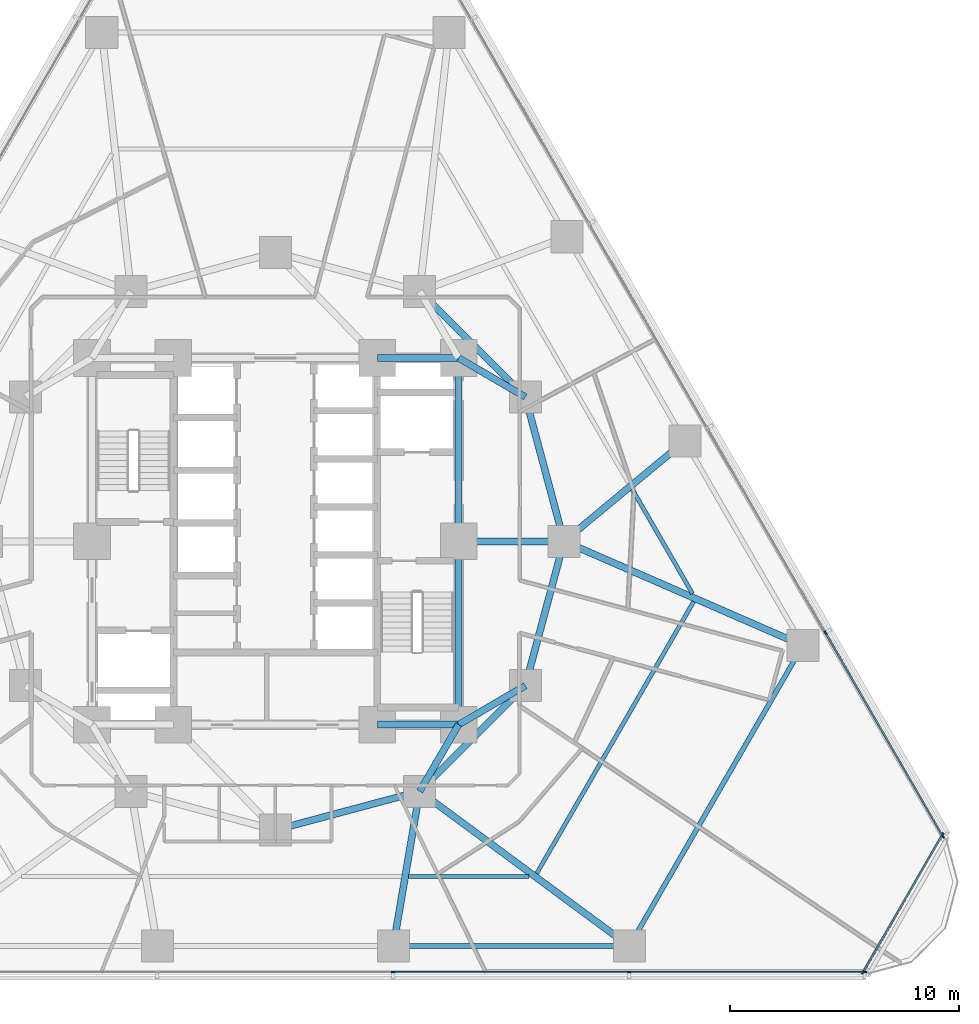
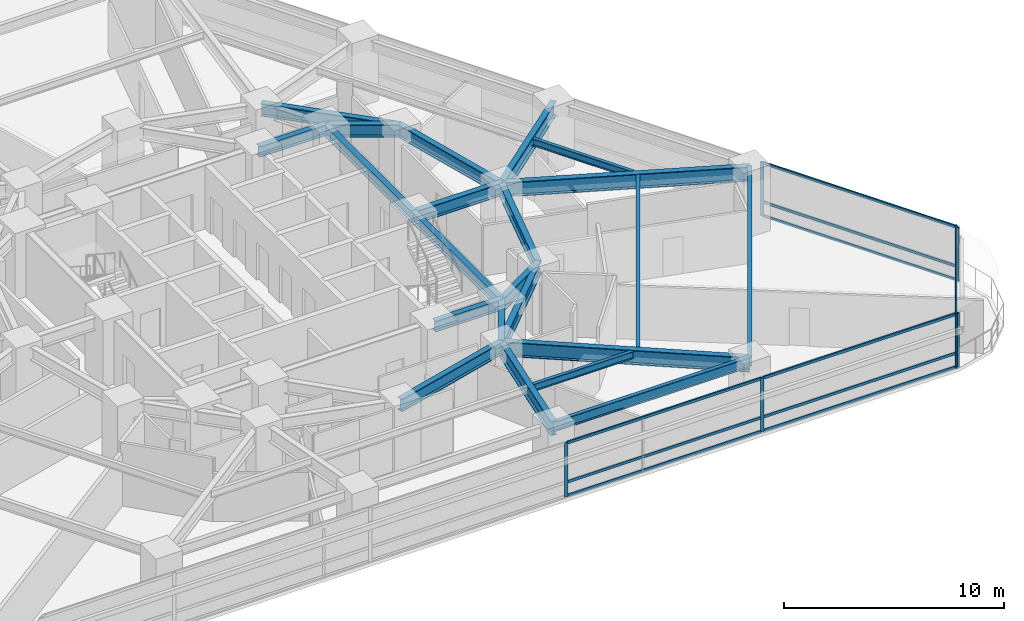
# One storey, part 4 of 16: 22 beams, 19 members, 3 elements without a shape of their own.
"""IFC4 building model written with IfcOpenShell, lengths in metres."""

import ifcopenshell
import ifcopenshell.guid

model = None  # the IFC model being written
_history = None  # IfcOwnerHistory: only IFC2X3 demands one
_inside = {}  # id of a spatial element -> (the spatial element, [elements in it])
_under = {}  # id of a project, library or spatial element -> (it, [spatial elements below it])
_declared = {}  # id of a project -> (the project, [libraries it declares])
_typed = {}  # id of a type object -> (the type object, [elements of that type])
_made_of = {}  # id of a material, layer set ... -> (it, [elements and type objects made of it])


def new_model(schema):
    """Start an empty IFC model of exactly this schema.

    Asked for "IFC4X3", IfcOpenShell would pick the latest addendum, in which some entities
    have other attributes; the version numbers below select the first issue.
    IFC2X3 requires an IfcOwnerHistory on every rooted entity: one is made here for all.
    """
    global model, _history
    if schema == "IFC4X3":
        model = ifcopenshell.file(schema_version=(4, 3, 0, 0))
    else:
        model = ifcopenshell.file(schema=schema)
    _inside.clear()
    _under.clear()
    _declared.clear()
    _typed.clear()
    _made_of.clear()
    _history = None
    if model.schema == "IFC2X3":
        org = make("IfcOrganization", Name="unknown")
        user = make(
            "IfcPersonAndOrganization",
            ThePerson=make("IfcPerson", FamilyName="unknown"),
            TheOrganization=org,
        )
        app = make(
            "IfcApplication",
            ApplicationDeveloper=org,
            Version="unknown",
            ApplicationFullName="unknown",
            ApplicationIdentifier="unknown",
        )
        _history = make(
            "IfcOwnerHistory",
            OwningUser=user,
            OwningApplication=app,
            ChangeAction="ADDED",
            CreationDate=0,
        )
    return model


def make(cls, **values):
    """One entity of the class cls with the attributes given. An attribute that is None is left unset."""
    return model.create_entity(
        cls, **{name: value for name, value in values.items() if value is not None}
    )


def rooted(cls, **values):
    """An entity with a GlobalId (a new one), such as an element, a storey or a relation."""
    return make(cls, GlobalId=ifcopenshell.guid.new(), OwnerHistory=_history, **values)


def si_unit(unit_type, name, prefix=None):
    """IfcSIUnit, for example si_unit("LENGTHUNIT", "METRE", prefix="MILLI")."""
    return make("IfcSIUnit", UnitType=unit_type, Prefix=prefix, Name=name)


def assignment(units):
    """IfcUnitAssignment: the units of a project."""
    return None if units is None else make("IfcUnitAssignment", Units=units)


def point(xyz):
    """IfcCartesianPoint."""
    return None if xyz is None else make("IfcCartesianPoint", Coordinates=xyz)


def direction(xyz):
    """IfcDirection."""
    return None if xyz is None else make("IfcDirection", DirectionRatios=xyz)


def frame(location, z_axis=None, x_axis=None):
    """IfcAxis2Placement3D, a coordinate frame: its origin and axes. An axis left out is left unset."""
    return make(
        "IfcAxis2Placement3D",
        Location=point(location),
        Axis=direction(z_axis),
        RefDirection=direction(x_axis),
    )


def frame_2d(location, x_axis=None):
    """IfcAxis2Placement2D, a coordinate frame in the plane: its origin and x axis."""
    return make(
        "IfcAxis2Placement2D", Location=point(location), RefDirection=direction(x_axis)
    )


def origin():
    """The frame at (0, 0, 0) with its axes left unset."""
    return frame((0.0, 0.0, 0.0))


def origin_2d():
    """The frame at (0, 0) in the plane with its x axis left unset."""
    return frame_2d((0.0, 0.0))


def place(relative_to, where):
    """IfcLocalPlacement: puts the frame where relative to a parent placement (None: the world)."""
    return make(
        "IfcLocalPlacement", PlacementRelTo=relative_to, RelativePlacement=where
    )


def context(
    kind, dimensions, precision=None, world=None, true_north=None, identifier=None
):
    """IfcGeometricRepresentationContext, for example the 3D "Model" context."""
    return make(
        "IfcGeometricRepresentationContext",
        ContextIdentifier=identifier,
        ContextType=kind,
        CoordinateSpaceDimension=dimensions,
        Precision=precision,
        WorldCoordinateSystem=world,
        TrueNorth=true_north,
    )


def subcontext(parent, identifier, kind, view, scale=None):
    """IfcGeometricRepresentationSubContext, for example "Body" below "Model"."""
    return make(
        "IfcGeometricRepresentationSubContext",
        ContextIdentifier=identifier,
        ContextType=kind,
        ParentContext=parent,
        TargetScale=scale,
        TargetView=view,
    )


def project(units=None, contexts=None):
    """IfcProject with its units and contexts."""
    return rooted(
        "IfcProject",
        Name="project",
        RepresentationContexts=contexts,
        UnitsInContext=assignment(units),
    )


def spatial(cls, under=None, at=None, **own):
    """A site, building, storey or space (cls), placed at a placement, below another one or the project."""
    s = rooted(cls, ObjectPlacement=at, **own)
    if under is not None:
        _under.setdefault(under.id(), (under, []))[1].append(s)
    return s


def profile(cls, at=None, kind="AREA", **sizes):
    """A parametric profile (cls). Its sizes go by their IFC names, for example OverallWidth=200.0."""
    return make(cls, ProfileType=kind, Position=at, **sizes)


def rectangle(**sizes):
    """IfcRectangleProfileDef."""
    return profile("IfcRectangleProfileDef", **sizes)


def i_section(**sizes):
    """IfcIShapeProfileDef."""
    return profile("IfcIShapeProfileDef", **sizes)


def extrude(swept, where, along, depth):
    """IfcExtrudedAreaSolid: the profile swept, set in the frame where, extruded along a direction by depth."""
    return make(
        "IfcExtrudedAreaSolid",
        SweptArea=swept,
        Position=where,
        ExtrudedDirection=direction(along),
        Depth=depth,
    )


def shape(context_of_items, identifier, shape_type, items):
    """IfcShapeRepresentation: the items that make up one representation, for example the "Body"."""
    return make(
        "IfcShapeRepresentation",
        ContextOfItems=context_of_items,
        RepresentationIdentifier=identifier,
        RepresentationType=shape_type,
        Items=items,
    )


def material(Name=None, Category=None):
    """IfcMaterial."""
    return make("IfcMaterial", Name=Name, Category=Category)


def layer(
    of_material, thickness, ventilated=None, Name=None, Category=None, Priority=None
):
    """IfcMaterialLayer: one layer of a wall or slab, of a material (None: an air gap)."""
    return make(
        "IfcMaterialLayer",
        Material=of_material,
        LayerThickness=thickness,
        IsVentilated=ventilated,
        Name=Name,
        Category=Category,
        Priority=Priority,
    )


def layer_set(layers, Name=None):
    """IfcMaterialLayerSet."""
    return make("IfcMaterialLayerSet", MaterialLayers=layers, LayerSetName=Name)


def material_profile(
    of_material, cross_section, Name=None, Category=None, Priority=None
):
    """IfcMaterialProfile: a cross section and its material."""
    return make(
        "IfcMaterialProfile",
        Name=Name,
        Material=of_material,
        Profile=cross_section,
        Priority=Priority,
        Category=Category,
    )


def profile_set(profiles, Name=None, composite=None):
    """IfcMaterialProfileSet."""
    return make(
        "IfcMaterialProfileSet",
        Name=Name,
        MaterialProfiles=profiles,
        CompositeProfile=composite,
    )


def made_of(thing, what):
    """Note that an element or type object is made of a material, layer set ...; save() writes the relation."""
    if what is not None:
        _made_of.setdefault(what.id(), (what, []))[1].append(thing)
    return thing


def type_object(cls, material=None, **own):
    """A type object (cls), such as IfcWallType, which elements share."""
    return made_of(rooted(cls, **own), material)


def element(
    cls,
    number,
    at=None,
    inside=None,
    cuts=None,
    type_object=None,
    material=None,
    context=None,
    identifier="Body",
    shape_type=None,
    held_by="IfcProductDefinitionShape",
    body=None,
    shapes=None,
    **own,
):
    """One element of the class cls, such as IfcWall. Its Tag is "e" and its number.

    at: its placement. inside: the storey or other place that contains it. cuts: it is an
    opening in that element (IfcRelVoidsElement). A single representation is given by context,
    identifier, shape_type and body (its items); several are given by shapes. held_by: the class
    of the entity that holds the representations. save() writes the other relations.
    """
    e = rooted(cls, Tag="e%d" % number, ObjectPlacement=at, **own)
    if body is not None:
        shapes = [shape(context, identifier, shape_type, body)]
    if shapes is not None:
        e.Representation = make(held_by, Representations=shapes)
    if inside is not None:
        _inside.setdefault(inside.id(), (inside, []))[1].append(e)
    if cuts is not None:
        rooted(
            "IfcRelVoidsElement", RelatingBuildingElement=cuts, RelatedOpeningElement=e
        )
    if type_object is not None:
        _typed.setdefault(type_object.id(), (type_object, []))[1].append(e)
    return made_of(e, material)


def aggregate(whole, parts):
    """IfcRelAggregates: a whole, such as a stair, and the parts it consists of."""
    return rooted("IfcRelAggregates", RelatingObject=whole, RelatedObjects=parts)


def save(model, path):
    """Write the relations noted so far, then the file.

    IfcRelAggregates (storeys below a building ...), IfcRelContainedInSpatialStructure (elements
    in a storey), IfcRelDefinesByType, IfcRelAssociatesMaterial and IfcRelDeclares: one each for
    every whole, place, type object, material and project.
    """
    for whole, parts in _under.values():
        aggregate(whole, parts)
    for where, things in _inside.values():
        rooted(
            "IfcRelContainedInSpatialStructure",
            RelatedElements=things,
            RelatingStructure=where,
        )
    for kind, things in _typed.values():
        rooted("IfcRelDefinesByType", RelatedObjects=things, RelatingType=kind)
    for what, things in _made_of.values():
        rooted("IfcRelAssociatesMaterial", RelatedObjects=things, RelatingMaterial=what)
    for by, libraries in _declared.values():
        rooted("IfcRelDeclares", RelatingContext=by, RelatedDefinitions=libraries)
    model.write(path)


model = new_model("IFC4")

# Units and contexts
model_context = context("Model", 3, precision=1e-05, world=origin(), true_north=direction((0.0, 1.0)))
body_context = subcontext(model_context, "Body", "Model", "MODEL_VIEW")
ifc_project = project(units=[si_unit("LENGTHUNIT", "METRE"), si_unit("AREAUNIT", "SQUARE_METRE"), si_unit("VOLUMEUNIT", "CUBIC_METRE"), si_unit("PLANEANGLEUNIT", "RADIAN"), si_unit("MASSUNIT", "GRAM", prefix="KILO")], contexts=[model_context])

# Site, building, storey
site_placement = place(None, origin())
site = spatial("IfcSite", under=ifc_project, at=site_placement, CompositionType="ELEMENT")
building_placement = place(site_placement, origin())
building = spatial("IfcBuilding", under=site, at=building_placement, Name="Terralouvre Media Tower", CompositionType="ELEMENT")
storey_placement = place(building_placement, frame((0.0, 0.0, 37.10009765625)))
storey = spatial("IfcBuildingStorey", under=building, at=storey_placement, Name="L08", CompositionType="ELEMENT", Elevation=37.10009765625)

# Beams
ifc_material_1 = material(Name="Structural steel S355J2", Category="steel")
ifc_material_profile_1 = material_profile(ifc_material_1, i_section(OverallWidth=0.179931640625, OverallDepth=0.39990234375, WebThickness=0.008544921875, FlangeThickness=0.013427734375, at=origin_2d()), Name="IPE 400")
ifc_profile_set_1 = profile_set([ifc_material_profile_1], Name="Structural steel S355J2")
beam_type_1 = type_object("IfcBeamType", Name="Composite Floor Joist J-IPE400 (IPE 400)", PredefinedType="JOIST", material=ifc_profile_set_1)
beam_1_placement = place(storey_placement, frame((5.817626953125, -14.627197265625, 3.2998046875), z_axis=(1.0, 0.0, 0.0), x_axis=(0.0, 1.0, 0.0)))
element("IfcBeam", 1, at=beam_1_placement, inside=storey, type_object=beam_type_1, Name="L08 Framing Beam JT-L08-04", PredefinedType="JOIST", context=body_context, shape_type="SweptSolid", body=[
    extrude(i_section(OverallWidth=0.179931640625, OverallDepth=0.39990234375, WebThickness=0.008544921875, FlangeThickness=0.013427734375, at=origin_2d()), origin(), (0.0, 0.0, 1.0), 5.264404296875),
])
beam_2_placement = place(storey_placement, frame((11.407470703125, -14.4970703125, 3.2998046875), z_axis=(0.500011895338, 0.866018535899, 0.0), x_axis=(-0.866018535899, 0.500011895338, 0.0)))
element("IfcBeam", 2, at=beam_2_placement, inside=storey, type_object=beam_type_1, Name="L08 Framing Beam JT-L08-05", PredefinedType="JOIST", context=body_context, shape_type="SweptSolid", body=[
    extrude(i_section(OverallWidth=0.179931640625, OverallDepth=0.39990234375, WebThickness=0.008544921875, FlangeThickness=0.013427734375, at=origin_2d()), origin(), (0.0, 0.0, 1.0), 13.702392578125),
])
beam_3_placement = place(storey_placement, frame((18.20849609375, -2.28369140625, 3.2998046875), z_axis=(-0.500019514865, 0.866014136579, 0.0), x_axis=(-0.866014136579, -0.500019514865, 0.0)))
element("IfcBeam", 3, at=beam_3_placement, inside=storey, type_object=beam_type_1, Name="L08 Framing Beam JT-L08-06", PredefinedType="JOIST", context=body_context, shape_type="SweptSolid", body=[
    extrude(i_section(OverallWidth=0.179931640625, OverallDepth=0.39990234375, WebThickness=0.008544921875, FlangeThickness=0.013427734375, at=origin_2d()), origin(), (0.0, 0.0, 1.0), 5.264404296875),
])

# Curtain wall, members
ifc_material_2 = material(Name="Low-iron laminated double glazing with solar-control coating", Category="glass")
ifc_layer_1 = layer(ifc_material_2, 0.1650390625, Name="Lower Media Tower Unitised Curtain Wall CW-02")
ifc_layer_set_1 = layer_set([ifc_layer_1], Name="Low-iron laminated double glazing with solar-control coating")
curtain_wall_type_1 = type_object("IfcCurtainWallType", Name="Lower Media Tower Unitised Curtain Wall CW-02", PredefinedType="NOTDEFINED", material=ifc_layer_set_1)
curtain_wall_1_placement = place(storey_placement, origin())
curtain_wall_1 = element("IfcCurtainWall", 4, at=curtain_wall_1_placement, inside=storey, type_object=curtain_wall_type_1, Name="L08 Facade Curtain Wall F0", PredefinedType="NOTDEFINED")
ifc_material_3 = material(Name="Anodised extruded aluminium 6063-T6", Category="aluminium")
ifc_material_profile_2 = material_profile(ifc_material_3, rectangle(XDim=0.074951171875, YDim=0.14990234375, at=origin_2d()), Name="ALU 75x150")
ifc_profile_set_2 = profile_set([ifc_material_profile_2], Name="Anodised extruded aluminium 6063-T6")
member_type_1 = type_object("IfcMemberType", Name="Curtain-Wall Horizontal Transom TR-150", PredefinedType="USERDEFINED", material=ifc_profile_set_2)
member_1_placement = place(storey_placement, frame((5.1875, -18.796875, 0.037353515625), z_axis=(1.0, 0.0, 0.0), x_axis=(0.0, 1.0, 0.0)))
member_1 = element("IfcMember", 5, at=member_1_placement, type_object=member_type_1, Name="CW-02 transom 4.1", ObjectType="TRANSOM", PredefinedType="USERDEFINED", context=body_context, shape_type="SweptSolid", body=[
    extrude(rectangle(XDim=0.074951171875, YDim=0.14990234375, at=origin_2d()), origin(), (0.0, 0.0, 1.0), 10.22509765625),
])
member_2_placement = place(storey_placement, frame((5.1875, -18.796875, 0.7998046875), z_axis=(1.0, 0.0, 0.0), x_axis=(0.0, 1.0, 0.0)))
member_2 = element("IfcMember", 6, at=member_2_placement, type_object=member_type_1, Name="CW-02 transom 4.2", ObjectType="TRANSOM", PredefinedType="USERDEFINED", context=body_context, shape_type="SweptSolid", body=[
    extrude(rectangle(XDim=0.074951171875, YDim=0.14990234375, at=origin_2d()), origin(), (0.0, 0.0, 1.0), 10.22509765625),
])
member_3_placement = place(storey_placement, frame((5.1875, -18.796875, 2.96240234375), z_axis=(1.0, 0.0, 0.0), x_axis=(0.0, 1.0, 0.0)))
member_3 = element("IfcMember", 7, at=member_3_placement, type_object=member_type_1, Name="CW-02 transom 4.3", ObjectType="TRANSOM", PredefinedType="USERDEFINED", context=body_context, shape_type="SweptSolid", body=[
    extrude(rectangle(XDim=0.074951171875, YDim=0.14990234375, at=origin_2d()), origin(), (0.0, 0.0, 1.0), 10.22509765625),
])
member_4_placement = place(storey_placement, frame((15.487548828125, -18.796875, 0.037353515625), z_axis=(1.0, 0.0, 0.0), x_axis=(0.0, 1.0, 0.0)))
member_4 = element("IfcMember", 8, at=member_4_placement, type_object=member_type_1, Name="CW-02 transom 5.1", ObjectType="TRANSOM", PredefinedType="USERDEFINED", context=body_context, shape_type="SweptSolid", body=[
    extrude(rectangle(XDim=0.074951171875, YDim=0.14990234375, at=origin_2d()), origin(), (0.0, 0.0, 1.0), 10.1875),
])
member_5_placement = place(storey_placement, frame((15.487548828125, -18.796875, 0.7998046875), z_axis=(1.0, 0.0, 0.0), x_axis=(0.0, 1.0, 0.0)))
member_5 = element("IfcMember", 9, at=member_5_placement, type_object=member_type_1, Name="CW-02 transom 5.2", ObjectType="TRANSOM", PredefinedType="USERDEFINED", context=body_context, shape_type="SweptSolid", body=[
    extrude(rectangle(XDim=0.074951171875, YDim=0.14990234375, at=origin_2d()), origin(), (0.0, 0.0, 1.0), 10.1875),
])
member_6_placement = place(storey_placement, frame((15.487548828125, -18.796875, 2.96240234375), z_axis=(1.0, 0.0, 0.0), x_axis=(0.0, 1.0, 0.0)))
member_6 = element("IfcMember", 10, at=member_6_placement, type_object=member_type_1, Name="CW-02 transom 5.3", ObjectType="TRANSOM", PredefinedType="USERDEFINED", context=body_context, shape_type="SweptSolid", body=[
    extrude(rectangle(XDim=0.074951171875, YDim=0.14990234375, at=origin_2d()), origin(), (0.0, 0.0, 1.0), 10.1875),
])

curtain_wall_2_placement = place(storey_placement, origin())
curtain_wall_2 = element("IfcCurtainWall", 11, at=curtain_wall_2_placement, inside=storey, type_object=curtain_wall_type_1, Name="L08 Facade Curtain Wall F1", PredefinedType="NOTDEFINED")
member_7_placement = place(storey_placement, frame((29.115966796875, -12.8369140625, 0.037353515625), z_axis=(-0.499994895054, 0.866028351106, 0.0), x_axis=(-0.866028351106, -0.499994895054, 0.0)))
member_7 = element("IfcMember", 12, at=member_7_placement, type_object=member_type_1, Name="CW-02 transom 1.1", ObjectType="TRANSOM", PredefinedType="USERDEFINED", context=body_context, shape_type="SweptSolid", body=[
    extrude(rectangle(XDim=0.074951171875, YDim=0.14990234375, at=origin_2d()), origin(), (0.0, 0.0, 1.0), 10.1875),
])
member_8_placement = place(storey_placement, frame((29.115966796875, -12.8369140625, 0.7998046875), z_axis=(-0.499994895054, 0.866028351106, 0.0), x_axis=(-0.866028351106, -0.499994895054, 0.0)))
member_8 = element("IfcMember", 13, at=member_8_placement, type_object=member_type_1, Name="CW-02 transom 1.2", ObjectType="TRANSOM", PredefinedType="USERDEFINED", context=body_context, shape_type="SweptSolid", body=[
    extrude(rectangle(XDim=0.074951171875, YDim=0.14990234375, at=origin_2d()), origin(), (0.0, 0.0, 1.0), 10.1875),
])
member_9_placement = place(storey_placement, frame((29.115966796875, -12.8369140625, 2.96240234375), z_axis=(-0.499994895054, 0.866028351106, 0.0), x_axis=(-0.866028351106, -0.499994895054, 0.0)))
member_9 = element("IfcMember", 14, at=member_9_placement, type_object=member_type_1, Name="CW-02 transom 1.3", ObjectType="TRANSOM", PredefinedType="USERDEFINED", context=body_context, shape_type="SweptSolid", body=[
    extrude(rectangle(XDim=0.074951171875, YDim=0.14990234375, at=origin_2d()), origin(), (0.0, 0.0, 1.0), 10.1875),
])

ifc_material_4 = material(Name="Low-iron laminated double glazing with solar-control coating", Category="glass")
ifc_layer_2 = layer(ifc_material_4, 0.1650390625, Name="Rounded Wind-Corner Curved Glazing CW-04")
ifc_layer_set_2 = layer_set([ifc_layer_2], Name="Low-iron laminated double glazing with solar-control coating")
curtain_wall_type_2 = type_object("IfcCurtainWallType", Name="Rounded Wind-Corner Curved Glazing CW-04", PredefinedType="NOTDEFINED", material=ifc_layer_set_2)
curtain_wall_3_placement = place(storey_placement, origin())
curtain_wall_3 = element("IfcCurtainWall", 15, at=curtain_wall_3_placement, inside=storey, type_object=curtain_wall_type_2, Name="L08 Rounded Wind-Corner Curtain Wall C1", PredefinedType="NOTDEFINED")
member_10_placement = place(storey_placement, frame((25.666259765625, -18.78173828125, 0.037353515625), z_axis=(0.499998495495, 0.866026272409, 0.0), x_axis=(-0.866026272409, 0.499998495495, 0.0)))
member_10 = element("IfcMember", 16, at=member_10_placement, type_object=member_type_1, Name="CW-04 transom 1.1", ObjectType="TRANSOM", PredefinedType="USERDEFINED", context=body_context, shape_type="SweptSolid", body=[
    extrude(rectangle(XDim=0.074951171875, YDim=0.14990234375, at=origin_2d()), origin(), (0.0, 0.0, 1.0), 6.86474609375),
])
member_11_placement = place(storey_placement, frame((25.666259765625, -18.78173828125, 0.7998046875), z_axis=(0.499998495495, 0.866026272409, 0.0), x_axis=(-0.866026272409, 0.499998495495, 0.0)))
member_11 = element("IfcMember", 17, at=member_11_placement, type_object=member_type_1, Name="CW-04 transom 1.2", ObjectType="TRANSOM", PredefinedType="USERDEFINED", context=body_context, shape_type="SweptSolid", body=[
    extrude(rectangle(XDim=0.074951171875, YDim=0.14990234375, at=origin_2d()), origin(), (0.0, 0.0, 1.0), 6.86474609375),
])
member_12_placement = place(storey_placement, frame((25.666259765625, -18.78173828125, 2.96240234375), z_axis=(0.499998495495, 0.866026272409, 0.0), x_axis=(-0.866026272409, 0.499998495495, 0.0)))
member_12 = element("IfcMember", 18, at=member_12_placement, type_object=member_type_1, Name="CW-04 transom 1.3", ObjectType="TRANSOM", PredefinedType="USERDEFINED", context=body_context, shape_type="SweptSolid", body=[
    extrude(rectangle(XDim=0.074951171875, YDim=0.14990234375, at=origin_2d()), origin(), (0.0, 0.0, 1.0), 6.86474609375),
])

# Member
ifc_material_5 = material(Name="Anodised extruded aluminium 6063-T6", Category="aluminium")
ifc_material_profile_3 = material_profile(ifc_material_5, rectangle(XDim=0.074951171875, YDim=0.179931640625, at=origin_2d()), Name="ALU 75x180")
ifc_profile_set_3 = profile_set([ifc_material_profile_3], Name="Anodised extruded aluminium 6063-T6")
member_type_2 = type_object("IfcMemberType", Name="Curtain-Wall Vertical Mullion ML-180", PredefinedType="MULLION", material=ifc_profile_set_3)
member_13_placement = place(storey_placement, frame((5.14990234375, -18.796875, 0.0), z_axis=(0.0, 0.0, 1.0), x_axis=(0.0, 1.0, 0.0)))
member_13 = element("IfcMember", 19, at=member_13_placement, type_object=member_type_2, Name="CW-02 mullion 4", PredefinedType="MULLION", context=body_context, shape_type="SweptSolid", body=[
    extrude(rectangle(XDim=0.074951171875, YDim=0.179931640625, at=origin_2d()), origin(), (0.0, 0.0, 1.0), 3.0),
])

member_14_placement = place(storey_placement, frame((15.449951171875, -18.796875, 0.0), z_axis=(0.0, 0.0, 1.0), x_axis=(0.0, 1.0, 0.0)))
member_14 = element("IfcMember", 20, at=member_14_placement, type_object=member_type_2, Name="CW-02 mullion 5", PredefinedType="MULLION", context=body_context, shape_type="SweptSolid", body=[
    extrude(rectangle(XDim=0.074951171875, YDim=0.179931640625, at=origin_2d()), origin(), (0.0, 0.0, 1.0), 3.0),
])

member_15_placement = place(storey_placement, frame((25.71240234375, -18.796875, 0.0), z_axis=(0.0, 0.0, 1.0), x_axis=(0.0, 1.0, 0.0)))
member_15 = element("IfcMember", 21, at=member_15_placement, type_object=member_type_2, Name="CW-02 mullion 6", PredefinedType="MULLION", context=body_context, shape_type="SweptSolid", body=[
    extrude(rectangle(XDim=0.074951171875, YDim=0.179931640625, at=origin_2d()), origin(), (0.0, 0.0, 1.0), 3.0),
])

aggregate(curtain_wall_1, [member_13, member_14, member_15, member_1, member_2, member_3, member_4, member_5, member_6])

member_16_placement = place(storey_placement, frame((29.134765625, -12.869384765625, 0.0), z_axis=(0.0, 0.0, 1.0), x_axis=(-0.866025412057, -0.499999985671, 0.0)))
member_16 = element("IfcMember", 22, at=member_16_placement, type_object=member_type_2, Name="CW-02 mullion 1", PredefinedType="MULLION", context=body_context, shape_type="SweptSolid", body=[
    extrude(rectangle(XDim=0.074951171875, YDim=0.179931640625, at=origin_2d()), origin(), (0.0, 0.0, 1.0), 3.0),
])

member_17_placement = place(storey_placement, frame((24.00341796875, -3.981689453125, 0.0), z_axis=(0.0, 0.0, 1.0), x_axis=(-0.866025412057, -0.499999985671, 0.0)))
member_17 = element("IfcMember", 23, at=member_17_placement, type_object=member_type_2, Name="CW-02 mullion 2", PredefinedType="MULLION", context=body_context, shape_type="SweptSolid", body=[
    extrude(rectangle(XDim=0.074951171875, YDim=0.179931640625, at=origin_2d()), origin(), (0.0, 0.0, 1.0), 3.0),
])

aggregate(curtain_wall_2, [member_16, member_17, member_7, member_8, member_9])

member_18_placement = place(storey_placement, frame((25.6474609375, -18.814208984375, 0.0), z_axis=(0.0, 0.0, 1.0), x_axis=(-0.866025581895, 0.499999691503, 0.0)))
member_18 = element("IfcMember", 24, at=member_18_placement, type_object=member_type_2, Name="CW-04 mullion 1", PredefinedType="MULLION", context=body_context, shape_type="SweptSolid", body=[
    extrude(rectangle(XDim=0.074951171875, YDim=0.179931640625, at=origin_2d()), origin(), (0.0, 0.0, 1.0), 3.0),
])

member_19_placement = place(storey_placement, frame((29.117431640625, -12.80419921875, 0.0), z_axis=(0.0, 0.0, 1.0), x_axis=(-0.866025581895, 0.499999691503, 0.0)))
member_19 = element("IfcMember", 25, at=member_19_placement, type_object=member_type_2, Name="CW-04 mullion 2", PredefinedType="MULLION", context=body_context, shape_type="SweptSolid", body=[
    extrude(rectangle(XDim=0.074951171875, YDim=0.179931640625, at=origin_2d()), origin(), (0.0, 0.0, 1.0), 3.0),
])

aggregate(curtain_wall_3, [member_18, member_19, member_10, member_11, member_12])

# Beams
ifc_material_6 = material(Name="Structural steel S355J2", Category="steel")
ifc_material_profile_4 = material_profile(ifc_material_6, i_section(OverallWidth=0.2099609375, OverallDepth=0.550048828125, WebThickness=0.010986328125, FlangeThickness=0.01708984375, at=origin_2d()), Name="IPE 550")
ifc_profile_set_4 = profile_set([ifc_material_profile_4], Name="Structural steel S355J2")
beam_type_2 = type_object("IfcBeamType", Name="Perimeter Spandrel Beam SPB-550 (IPE 550)", PredefinedType="SPANDREL", material=ifc_profile_set_4)
beam_4_placement = place(storey_placement, frame((5.14990234375, -17.666748046875, 3.224853515625), z_axis=(1.0, 0.0, 0.0), x_axis=(0.0, 1.0, 0.0)))
element("IfcBeam", 26, at=beam_4_placement, inside=storey, type_object=beam_type_2, Name="L08 Framing Beam BM-L08-PR04", PredefinedType="SPANDREL", context=body_context, shape_type="SweptSolid", body=[
    extrude(i_section(OverallWidth=0.2099609375, OverallDepth=0.550048828125, WebThickness=0.010986328125, FlangeThickness=0.01708984375, at=origin_2d()), origin(), (0.0, 0.0, 1.0), 10.300048828125),
])
beam_5_placement = place(storey_placement, frame((15.449951171875, -17.666748046875, 3.224853515625), z_axis=(0.500002375365, 0.866024032363, 0.0), x_axis=(-0.866024032363, 0.500002375365, 0.0)))
element("IfcBeam", 27, at=beam_5_placement, inside=storey, type_object=beam_type_2, Name="L08 Framing Beam BM-L08-PR05", PredefinedType="SPANDREL", context=body_context, shape_type="SweptSolid", body=[
    extrude(i_section(OverallWidth=0.2099609375, OverallDepth=0.550048828125, WebThickness=0.010986328125, FlangeThickness=0.01708984375, at=origin_2d()), origin(), (0.0, 0.0, 1.0), 15.14990234375),
])
ifc_material_7 = material(Name="Structural steel S460M", Category="steel")
ifc_material_profile_5 = material_profile(ifc_material_7, i_section(OverallWidth=0.300048828125, OverallDepth=0.60009765625, WebThickness=0.015380859375, FlangeThickness=0.030029296875, at=origin_2d()), Name="HEB 600")
ifc_profile_set_5 = profile_set([ifc_material_profile_5], Name="Structural steel S460M")
beam_type_3 = type_object("IfcBeamType", Name="Primary Floor Girder B-HEB600 (HEB 600)", PredefinedType="BEAM", material=ifc_profile_set_5)
beam_6_placement = place(storey_placement, frame((4.449951171875, -8.0, 3.199951171875), z_axis=(1.0, 0.0, 0.0), x_axis=(0.0, 1.0, 0.0)))
element("IfcBeam", 28, at=beam_6_placement, inside=storey, type_object=beam_type_3, Name="L08 Framing Beam BM-L08-CPR03", PredefinedType="BEAM", context=body_context, shape_type="SweptSolid", body=[
    extrude(i_section(OverallWidth=0.300048828125, OverallDepth=0.60009765625, WebThickness=0.015380859375, FlangeThickness=0.030029296875, at=origin_2d()), origin(), (0.0, 0.0, 1.0), 3.550048828125),
])
for number, where, z_axis, x_axis, name in (
    (29, (8.0, -8.0, 3.199951171875), (0.0, 1.0, 0.0), (-1.0, 0.0, 0.0), "L08 Framing Beam BM-L08-CPR04"),
    (30, (8.0, 0.0, 3.199951171875), (0.0, 1.0, 0.0), (-1.0, 0.0, 0.0), "L08 Framing Beam BM-L08-CPR05"),
):
    element("IfcBeam", number, at=place(storey_placement, frame(where, z_axis=z_axis, x_axis=x_axis)), inside=storey, type_object=beam_type_3, Name=name, PredefinedType="BEAM", context=body_context, shape_type="SweptSolid", body=[
        extrude(i_section(OverallWidth=0.300048828125, OverallDepth=0.60009765625, WebThickness=0.015380859375, FlangeThickness=0.030029296875, at=origin_2d()), origin(), (0.0, 0.0, 1.0), 8.0),
    ])
beam_7_placement = place(storey_placement, frame((8.0, 8.0, 3.199951171875), z_axis=(-1.0, 0.0, 0.0), x_axis=(0.0, -1.0, 0.0)))
element("IfcBeam", 31, at=beam_7_placement, inside=storey, type_object=beam_type_3, Name="L08 Framing Beam BM-L08-CPR06", PredefinedType="BEAM", context=body_context, shape_type="SweptSolid", body=[
    extrude(i_section(OverallWidth=0.300048828125, OverallDepth=0.60009765625, WebThickness=0.015380859375, FlangeThickness=0.030029296875, at=origin_2d()), origin(), (0.0, 0.0, 1.0), 3.550048828125),
])
ifc_material_8 = material(Name="Structural steel S460M", Category="steel")
ifc_material_profile_6 = material_profile(ifc_material_8, i_section(OverallWidth=0.300048828125, OverallDepth=0.699951171875, WebThickness=0.01708984375, FlangeThickness=0.031982421875, at=origin_2d()), Name="HEB 700")
ifc_profile_set_6 = profile_set([ifc_material_profile_6], Name="Structural steel S460M")
beam_type_4 = type_object("IfcBeamType", Name="Primary Floor Girder B-HEB700 (HEB 700)", PredefinedType="BEAM", material=ifc_profile_set_6)
beam_8_placement = place(storey_placement, frame((0.0, -12.60009765625, 3.14990234375), z_axis=(0.965920481897, 0.258838989821, 0.0), x_axis=(-0.258838989821, 0.965920481897, 0.0)))
element("IfcBeam", 32, at=beam_8_placement, inside=storey, type_object=beam_type_4, Name="L08 Framing Beam BM-L08-MR03", PredefinedType="BEAM", context=body_context, shape_type="SweptSolid", body=[
    extrude(i_section(OverallWidth=0.300048828125, OverallDepth=0.699951171875, WebThickness=0.01708984375, FlangeThickness=0.031982421875, at=origin_2d()), origin(), (0.0, 0.0, 1.0), 6.522216796875),
])
beam_9_placement = place(storey_placement, frame((6.300048828125, -10.911865234375, 3.14990234375), z_axis=(0.707106781187, 0.707106781187, 0.0), x_axis=(-0.707106781187, 0.707106781187, 0.0)))
element("IfcBeam", 33, at=beam_9_placement, inside=storey, type_object=beam_type_4, Name="L08 Framing Beam BM-L08-MR04", PredefinedType="BEAM", context=body_context, shape_type="SweptSolid", body=[
    extrude(i_section(OverallWidth=0.300048828125, OverallDepth=0.699951171875, WebThickness=0.01708984375, FlangeThickness=0.031982421875, at=origin_2d()), origin(), (0.0, 0.0, 1.0), 6.52197265625),
])
for number, where, z_axis, x_axis, name in (
    (34, (10.911865234375, -6.300048828125, 3.14990234375), (0.258838989821, 0.965920481897, 0.0), (-0.965920481897, 0.258838989821, 0.0), "L08 Framing Beam BM-L08-MR05"),
    (35, (12.60009765625, 0.0, 3.14990234375), (-0.258838989821, 0.965920481897, 0.0), (-0.965920481897, -0.258838989821, 0.0), "L08 Framing Beam BM-L08-MR06"),
):
    element("IfcBeam", number, at=place(storey_placement, frame(where, z_axis=z_axis, x_axis=x_axis)), inside=storey, type_object=beam_type_4, Name=name, PredefinedType="BEAM", context=body_context, shape_type="SweptSolid", body=[
        extrude(i_section(OverallWidth=0.300048828125, OverallDepth=0.699951171875, WebThickness=0.01708984375, FlangeThickness=0.031982421875, at=origin_2d()), origin(), (0.0, 0.0, 1.0), 6.522216796875),
    ])
beam_10_placement = place(storey_placement, frame((10.911865234375, 6.300048828125, 3.14990234375), z_axis=(-0.707106781187, 0.707106781187, 0.0), x_axis=(-0.707106781187, -0.707106781187, 0.0)))
element("IfcBeam", 36, at=beam_10_placement, inside=storey, type_object=beam_type_4, Name="L08 Framing Beam BM-L08-MR07", PredefinedType="BEAM", context=body_context, shape_type="SweptSolid", body=[
    extrude(i_section(OverallWidth=0.300048828125, OverallDepth=0.699951171875, WebThickness=0.01708984375, FlangeThickness=0.031982421875, at=origin_2d()), origin(), (0.0, 0.0, 1.0), 6.52197265625),
])
for number, where, z_axis, x_axis, name in (
    (37, (8.0, -8.0, 3.14990234375), (-0.504172629717, -0.863602894532, 0.0), (0.863602894532, -0.504172629717, 0.0), "L08 Framing Beam BM-L08-CM04"),
    (38, (8.0, -8.0, 3.14990234375), (0.863602894532, 0.504172629717, 0.0), (-0.504172629717, 0.863602894532, 0.0), "L08 Framing Beam BM-L08-CM05"),
):
    element("IfcBeam", number, at=place(storey_placement, frame(where, z_axis=z_axis, x_axis=x_axis)), inside=storey, type_object=beam_type_4, Name=name, PredefinedType="BEAM", context=body_context, shape_type="SweptSolid", body=[
        extrude(i_section(OverallWidth=0.300048828125, OverallDepth=0.699951171875, WebThickness=0.01708984375, FlangeThickness=0.031982421875, at=origin_2d()), origin(), (0.0, 0.0, 1.0), 3.371826171875),
    ])
beam_11_placement = place(storey_placement, frame((8.0, 0.0, 3.14990234375), z_axis=(1.0, 0.0, 0.0), x_axis=(0.0, 1.0, 0.0)))
element("IfcBeam", 39, at=beam_11_placement, inside=storey, type_object=beam_type_4, Name="L08 Framing Beam BM-L08-CM06", PredefinedType="BEAM", context=body_context, shape_type="SweptSolid", body=[
    extrude(i_section(OverallWidth=0.300048828125, OverallDepth=0.699951171875, WebThickness=0.01708984375, FlangeThickness=0.031982421875, at=origin_2d()), origin(), (0.0, 0.0, 1.0), 4.60009765625),
])
beam_12_placement = place(storey_placement, frame((8.0, 8.0, 3.14990234375), z_axis=(0.863602894532, -0.504172629717, 0.0), x_axis=(0.504172629717, 0.863602894532, 0.0)))
element("IfcBeam", 40, at=beam_12_placement, inside=storey, type_object=beam_type_4, Name="L08 Framing Beam BM-L08-CM07", PredefinedType="BEAM", context=body_context, shape_type="SweptSolid", body=[
    extrude(i_section(OverallWidth=0.300048828125, OverallDepth=0.699951171875, WebThickness=0.01708984375, FlangeThickness=0.031982421875, at=origin_2d()), origin(), (0.0, 0.0, 1.0), 3.371826171875),
])
ifc_material_9 = material(Name="Structural steel S460M", Category="steel")
ifc_material_profile_7 = material_profile(ifc_material_9, i_section(OverallWidth=0.300048828125, OverallDepth=0.800048828125, WebThickness=0.017578125, FlangeThickness=0.032958984375, at=origin_2d()), Name="HEB 800")
ifc_profile_set_7 = profile_set([ifc_material_profile_7], Name="Structural steel S460M")
beam_type_5 = type_object("IfcBeamType", Name="Primary Floor Girder B-HEB800 (HEB 800)", PredefinedType="BEAM", material=ifc_profile_set_7)
beam_13_placement = place(storey_placement, frame((6.300048828125, -10.911865234375, 3.099853515625), z_axis=(-0.167853129882, -0.98581201392, 0.0), x_axis=(0.98581201392, -0.167853129882, 0.0)))
element("IfcBeam", 41, at=beam_13_placement, inside=storey, type_object=beam_type_5, Name="L08 Framing Beam BM-L08-RD04", PredefinedType="BEAM", context=body_context, shape_type="SweptSolid", body=[
    extrude(i_section(OverallWidth=0.300048828125, OverallDepth=0.800048828125, WebThickness=0.017578125, FlangeThickness=0.032958984375, at=origin_2d()), origin(), (0.0, 0.0, 1.0), 6.85205078125),
])
beam_14_placement = place(storey_placement, frame((6.300048828125, -10.911865234375, 3.099853515625), z_axis=(0.804515955091, -0.593931038088, 0.0), x_axis=(0.593931038088, 0.804515955091, 0.0)))
element("IfcBeam", 42, at=beam_14_placement, inside=storey, type_object=beam_type_5, Name="L08 Framing Beam BM-L08-RD05", PredefinedType="BEAM", context=body_context, shape_type="SweptSolid", body=[
    extrude(i_section(OverallWidth=0.300048828125, OverallDepth=0.800048828125, WebThickness=0.017578125, FlangeThickness=0.032958984375, at=origin_2d()), origin(), (0.0, 0.0, 1.0), 11.373291015625),
])
beam_15_placement = place(storey_placement, frame((12.60009765625, 0.0, 3.099853515625), z_axis=(0.916615903868, -0.399769039291, 0.0), x_axis=(0.399769039291, 0.916615903868, 0.0)))
element("IfcBeam", 43, at=beam_15_placement, inside=storey, type_object=beam_type_5, Name="L08 Framing Beam BM-L08-RD06", PredefinedType="BEAM", context=body_context, shape_type="SweptSolid", body=[
    extrude(i_section(OverallWidth=0.300048828125, OverallDepth=0.800048828125, WebThickness=0.017578125, FlangeThickness=0.032958984375, at=origin_2d()), origin(), (0.0, 0.0, 1.0), 11.373046875),
])
beam_16_placement = place(storey_placement, frame((12.60009765625, 0.0, 3.099853515625), z_axis=(0.769816459478, 0.638265320001, 0.0), x_axis=(-0.638265320001, 0.769816459478, 0.0)))
element("IfcBeam", 44, at=beam_16_placement, inside=storey, type_object=beam_type_5, Name="L08 Framing Beam BM-L08-RD07", PredefinedType="BEAM", context=body_context, shape_type="SweptSolid", body=[
    extrude(i_section(OverallWidth=0.300048828125, OverallDepth=0.800048828125, WebThickness=0.017578125, FlangeThickness=0.032958984375, at=origin_2d()), origin(), (0.0, 0.0, 1.0), 6.851806640625),
])

save(model, "model.ifc")
